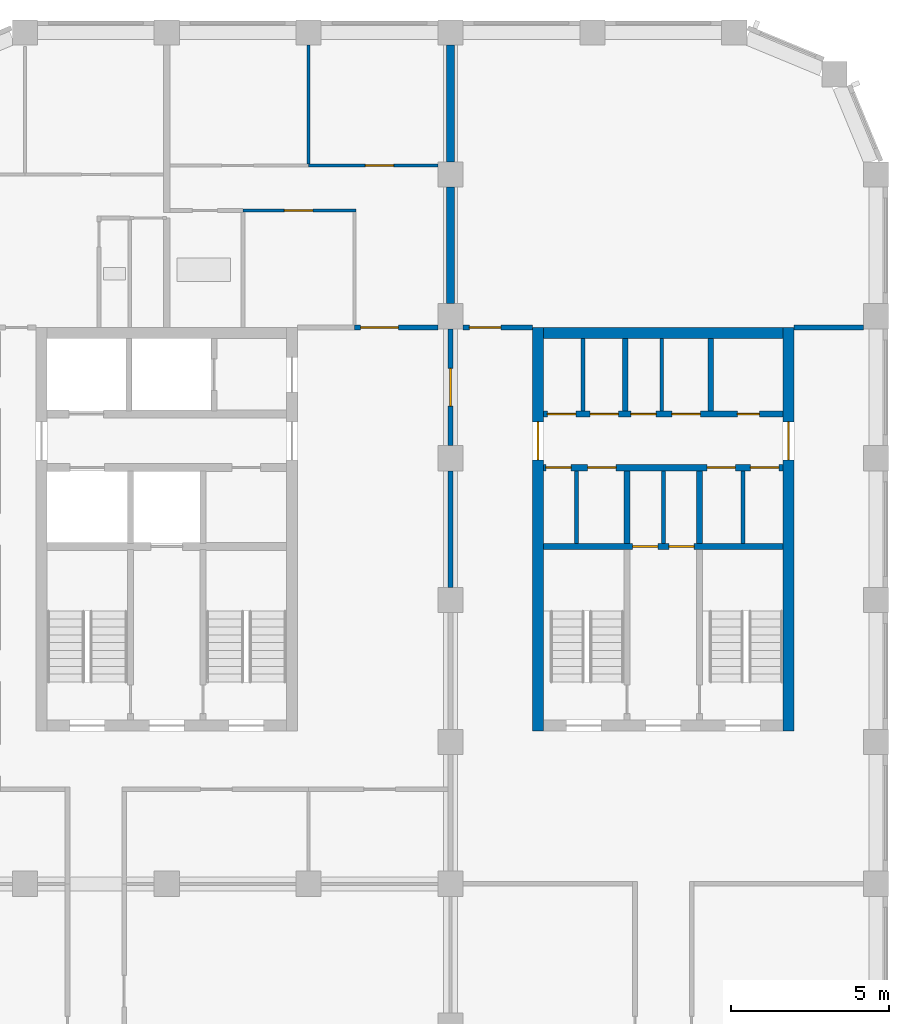
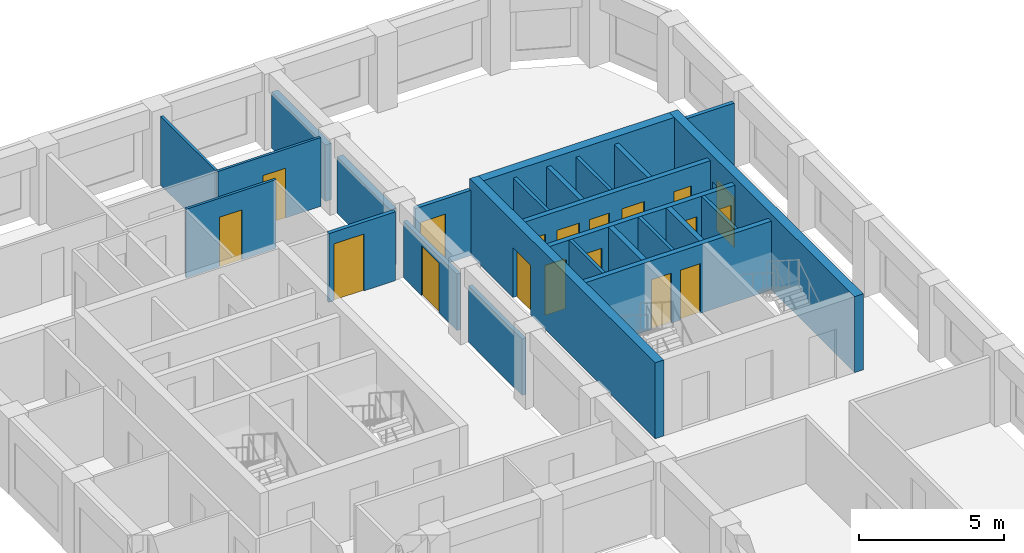
# One storey, part 6 of 9: 25 walls, 18 doors, 18 openings.
"""IFC4 building model written with IfcOpenShell, lengths in metres."""

from ifc_helpers import new_model, si_unit, direction, frame, frame_2d, origin, place, context, subcontext, project, spatial, rectangle, extrude, material, layer, layer_set, type_object, element, fill, save


model = new_model("IFC4")

# Units and contexts
model_context = context("Model", 3, precision=1e-05, world=origin(), true_north=direction((0.0, 1.0)))
body_context = subcontext(model_context, "Body", "Model", "MODEL_VIEW")
ifc_project = project(units=[si_unit("LENGTHUNIT", "METRE"), si_unit("AREAUNIT", "SQUARE_METRE"), si_unit("VOLUMEUNIT", "CUBIC_METRE"), si_unit("PLANEANGLEUNIT", "RADIAN"), si_unit("MASSUNIT", "GRAM", prefix="KILO")], contexts=[model_context])

# Site, building, storey
site_placement = place(None, origin())
site = spatial("IfcSite", under=ifc_project, at=site_placement, CompositionType="ELEMENT")
building_placement = place(site_placement, origin())
building = spatial("IfcBuilding", under=site, at=building_placement, Name="Girih Gate Residences", CompositionType="ELEMENT")
storey_placement = place(building_placement, frame((0.0, 0.0, 222.89501953125)))
storey = spatial("IfcBuildingStorey", under=building, at=storey_placement, Name="L62", CompositionType="ELEMENT", Elevation=222.89501953125)

# Walls
ifc_material_1 = material(Name="Gypsum board on steel studs", Category="steel")
ifc_layer_1 = layer(ifc_material_1, 0.25)
ifc_layer_set_1 = layer_set([ifc_layer_1], Name="Acoustic separating wall 250 mm")
wall_type_1 = type_object("IfcWallType", Name="Acoustic separating wall 250 mm", PredefinedType="PARTITIONING", material=ifc_layer_set_1)
for number, where, z_axis, x_axis, name in (
    (1, (18.0, 45.39990234375, 0.0), (0.0, 0.0, 1.0), (0.0, 1.0, 0.0), "L62 partition"),
    (2, (18.0, 40.89990234375, 0.0), (0.0, 0.0, 1.0), (0.0, 1.0, 0.0), "L62 partition"),
):
    element("IfcWall", number, at=place(storey_placement, frame(where, z_axis=z_axis, x_axis=x_axis)), inside=storey, type_object=wall_type_1, Name=name, PredefinedType="PARTITIONING", context=body_context, shape_type="SweptSolid", body=[
        extrude(rectangle(XDim=3.7001953125, YDim=0.25, at=frame_2d((1.85009765625, 0.0))), origin(), (0.0, 0.0, 1.0), 2.3798828125),
    ])

# Wall, opening, door
ifc_layer_2 = layer(ifc_material_1, 0.14990234375)
ifc_layer_set_2 = layer_set([ifc_layer_2], Name="Compartment wall 150 mm")
wall_type_2 = type_object("IfcWallType", Name="Compartment wall 150 mm", PredefinedType="PARTITIONING", material=ifc_layer_set_2)
wall_1_placement = place(storey_placement, frame((14.949951171875, 40.14990234375, 0.0), z_axis=(0.0, 0.0, 1.0), x_axis=(1.0, 0.0, 0.0)))
wall_1 = element("IfcWall", 3, at=wall_1_placement, inside=storey, type_object=wall_type_2, Name="L62 partition", PredefinedType="PARTITIONING", context=body_context, shape_type="SweptSolid", body=[
    extrude(rectangle(XDim=2.650146484375, YDim=0.14990234375, at=frame_2d((1.3251953125, 0.0))), origin(), (0.0, 0.0, 1.0), 2.89990234375),
])
opening_1_placement = place(wall_1_placement, frame((0.199951171875, 0.0, 0.0)))
opening_1 = element("IfcOpeningElement", 4, at=opening_1_placement, cuts=wall_1, Name="Opening A62-016", PredefinedType="OPENING", context=body_context, shape_type="SweptSolid", body=[
    extrude(rectangle(XDim=1.199951171875, YDim=2.39990234375, at=frame_2d((0.60009765625, 1.199951171875))), frame((0.0, 0.0849609375, 0.0), z_axis=(0.0, -1.0, 0.0), x_axis=(1.0, 0.0, 0.0)), (0.0, 0.0, 1.0), 0.169921875),
])
ifc_material_2 = material(Name="Timber, fire-rated core", Category="wood")
door_type_1 = type_object("IfcDoorType", Name="Villa entrance door 1200x2400 FD30S", OperationType="NOTDEFINED", PredefinedType="DOOR", material=ifc_material_2)
door_1_placement = place(opening_1_placement, origin())
door_1 = element("IfcDoor", 5, at=door_1_placement, inside=storey, type_object=door_type_1, Name="Door A62-016", OperationType="SINGLE_SWING_LEFT", OverallHeight=2.39990234375, OverallWidth=1.199951171875, PredefinedType="DOOR", context=body_context, shape_type="SweptSolid", body=[
    extrude(rectangle(XDim=1.199951171875, YDim=2.39990234375, at=frame_2d((0.60009765625, 1.199951171875))), frame((0.0, 0.02490234375, 0.0), z_axis=(0.0, -1.0, 0.0), x_axis=(1.0, 0.0, 0.0)), (0.0, 0.0, 1.0), 0.050048828125),
])
fill(opening_1, door_1)

wall_2_placement = place(storey_placement, frame((18.39990234375, 40.14990234375, 0.0), z_axis=(0.0, 0.0, 1.0), x_axis=(1.0, 0.0, 0.0)))
wall_2 = element("IfcWall", 6, at=wall_2_placement, inside=storey, type_object=wall_type_2, Name="L62 partition", PredefinedType="PARTITIONING", context=body_context, shape_type="SweptSolid", body=[
    extrude(rectangle(XDim=2.2001953125, YDim=0.14990234375, at=frame_2d((1.10009765625, 0.0))), origin(), (0.0, 0.0, 1.0), 2.75),
])
opening_2_placement = place(wall_2_placement, frame((0.199951171875, 0.0, 0.0)))
opening_2 = element("IfcOpeningElement", 7, at=opening_2_placement, cuts=wall_2, Name="Opening A62-018", PredefinedType="OPENING", context=body_context, shape_type="SweptSolid", body=[
    extrude(rectangle(XDim=1.0, YDim=2.10009765625, at=frame_2d((0.5, 1.050048828125))), frame((0.0, 0.0849609375, 0.0), z_axis=(0.0, -1.0, 0.0), x_axis=(1.0, 0.0, 0.0)), (0.0, 0.0, 1.0), 0.169921875),
])
door_type_2 = type_object("IfcDoorType", Name="Amenity room door 1000x2100 FD30S", OperationType="NOTDEFINED", PredefinedType="DOOR", material=ifc_material_2)
door_2_placement = place(opening_2_placement, origin())
door_2 = element("IfcDoor", 8, at=door_2_placement, inside=storey, type_object=door_type_2, Name="Door A62-018", OperationType="SINGLE_SWING_LEFT", OverallHeight=2.10009765625, OverallWidth=1.0, PredefinedType="DOOR", context=body_context, shape_type="SweptSolid", body=[
    extrude(rectangle(XDim=1.0, YDim=2.10009765625, at=frame_2d((0.5, 1.050048828125))), frame((0.0, 0.02490234375, 0.0), z_axis=(0.0, -1.0, 0.0), x_axis=(1.0, 0.0, 0.0)), (0.0, 0.0, 1.0), 0.050048828125),
])
fill(opening_2, door_2)

# Walls
wall_3_placement = place(storey_placement, frame((28.89990234375, 40.14990234375, 0.0), z_axis=(0.0, 0.0, 1.0), x_axis=(1.0, 0.0, 0.0)))
element("IfcWall", 9, at=wall_3_placement, inside=storey, type_object=wall_type_2, Name="L62 partition", PredefinedType="PARTITIONING", context=body_context, shape_type="SweptSolid", body=[
    extrude(rectangle(XDim=2.2001953125, YDim=0.14990234375, at=frame_2d((1.10009765625, 0.0))), origin(), (0.0, 0.0, 1.0), 2.75),
])
wall_4_placement = place(storey_placement, frame((18.0, 31.89990234375, 0.0), z_axis=(0.0, 0.0, 1.0), x_axis=(0.0, 1.0, 0.0)))
element("IfcWall", 10, at=wall_4_placement, inside=storey, type_object=wall_type_2, Name="L62 partition", PredefinedType="PARTITIONING", context=body_context, shape_type="SweptSolid", body=[
    extrude(rectangle(XDim=3.7001953125, YDim=0.14990234375, at=frame_2d((1.85009765625, 0.0))), origin(), (0.0, 0.0, 1.0), 2.3798828125),
])

# Wall, opening, door
wall_5_placement = place(storey_placement, frame((18.0, 40.10009765625, 0.0), z_axis=(0.0, 0.0, 1.0), x_axis=(0.0, -1.0, 0.0)))
wall_5 = element("IfcWall", 11, at=wall_5_placement, inside=storey, type_object=wall_type_2, Name="L62 partition", PredefinedType="PARTITIONING", context=body_context, shape_type="SweptSolid", body=[
    extrude(rectangle(XDim=3.7001953125, YDim=0.14990234375, at=frame_2d((1.85009765625, 0.0))), origin(), (0.0, 0.0, 1.0), 2.3798828125),
])
opening_3_placement = place(wall_5_placement, frame((1.25, 0.0, 0.0)))
opening_3 = element("IfcOpeningElement", 12, at=opening_3_placement, cuts=wall_5, Name="Opening A62-019", PredefinedType="OPENING", context=body_context, shape_type="SweptSolid", body=[
    extrude(rectangle(XDim=1.199951171875, YDim=2.10009765625, at=frame_2d((0.60009765625, 1.050048828125))), frame((0.0, 0.0849609375, 0.0), z_axis=(0.0, -1.0, 0.0), x_axis=(1.0, 0.0, 0.0)), (0.0, 0.0, 1.0), 0.169921875),
])
door_type_3 = type_object("IfcDoorType", Name="Corridor fire door 1200x2100 FD30S", OperationType="NOTDEFINED", PredefinedType="DOOR", material=ifc_material_2)
door_3_placement = place(opening_3_placement, origin())
door_3 = element("IfcDoor", 13, at=door_3_placement, inside=storey, type_object=door_type_3, Name="Door A62-019", OperationType="SINGLE_SWING_LEFT", OverallHeight=2.10009765625, OverallWidth=1.199951171875, PredefinedType="DOOR", context=body_context, shape_type="SweptSolid", body=[
    extrude(rectangle(XDim=1.199951171875, YDim=2.10009765625, at=frame_2d((0.60009765625, 1.050048828125))), frame((0.0, 0.02490234375, 0.0), z_axis=(0.0, -1.0, 0.0), x_axis=(1.0, 0.0, 0.0)), (0.0, 0.0, 1.0), 0.050048828125),
])
fill(opening_3, door_3)

ifc_layer_3 = layer(ifc_material_1, 0.10009765625)
ifc_layer_set_3 = layer_set([ifc_layer_3], Name="Partition 100 mm")
wall_type_3 = type_object("IfcWallType", Name="Partition 100 mm", PredefinedType="PARTITIONING", material=ifc_layer_set_3)
wall_6_placement = place(storey_placement, frame((13.5, 45.280029296875, 0.0), z_axis=(0.0, 0.0, 1.0), x_axis=(1.0, 0.0, 0.0)))
wall_6 = element("IfcWall", 14, at=wall_6_placement, inside=storey, type_object=wall_type_3, Name="L62 partition", PredefinedType="PARTITIONING", context=body_context, shape_type="SweptSolid", body=[
    extrude(rectangle(XDim=4.10009765625, YDim=0.10009765625, at=frame_2d((2.050048828125, 0.0))), origin(), (0.0, 0.0, 1.0), 2.89990234375),
])
opening_4_placement = place(wall_6_placement, frame((1.800048828125, 0.0, 0.0)))
opening_4 = element("IfcOpeningElement", 15, at=opening_4_placement, cuts=wall_6, Name="Opening A62-013", PredefinedType="OPENING", context=body_context, shape_type="SweptSolid", body=[
    extrude(rectangle(XDim=0.89990234375, YDim=2.10009765625, at=frame_2d((0.449951171875, 1.050048828125))), frame((0.0, 0.06005859375, 0.0), z_axis=(0.0, -1.0, 0.0), x_axis=(1.0, 0.0, 0.0)), (0.0, 0.0, 1.0), 0.1201171875),
])
ifc_material_3 = material(Name="Timber", Category="wood")
door_type_4 = type_object("IfcDoorType", Name="Bedroom door 900x2100", OperationType="NOTDEFINED", PredefinedType="DOOR", material=ifc_material_3)
door_4_placement = place(opening_4_placement, origin())
door_4 = element("IfcDoor", 16, at=door_4_placement, inside=storey, type_object=door_type_4, Name="Door A62-013", OperationType="SINGLE_SWING_RIGHT", OverallHeight=2.10009765625, OverallWidth=0.89990234375, PredefinedType="DOOR", context=body_context, shape_type="SweptSolid", body=[
    extrude(rectangle(XDim=0.89990234375, YDim=2.10009765625, at=frame_2d((0.449951171875, 1.050048828125))), frame((0.0, 0.02490234375, 0.0), z_axis=(0.0, -1.0, 0.0), x_axis=(1.0, 0.0, 0.0)), (0.0, 0.0, 1.0), 0.050048828125),
])
fill(opening_4, door_4)

# Wall
wall_7_placement = place(storey_placement, frame((13.5, 45.330078125, 0.0), z_axis=(0.0, 0.0, 1.0), x_axis=(0.0, 1.0, 0.0)))
element("IfcWall", 17, at=wall_7_placement, inside=storey, type_object=wall_type_3, Name="L62 partition", PredefinedType="PARTITIONING", context=body_context, shape_type="SweptSolid", body=[
    extrude(rectangle(XDim=3.77001953125, YDim=0.10009765625, at=frame_2d((1.885009765625, 0.0))), origin(), (0.0, 0.0, 1.0), 2.89990234375),
])

# Wall, opening, door
wall_8_placement = place(storey_placement, frame((15.0, 43.860107421875, 0.0), z_axis=(0.0, 0.0, 1.0), x_axis=(-1.0, 0.0, 0.0)))
wall_8 = element("IfcWall", 18, at=wall_8_placement, inside=storey, type_object=wall_type_3, Name="L62 partition", PredefinedType="PARTITIONING", context=body_context, shape_type="SweptSolid", body=[
    extrude(rectangle(XDim=3.581787109375, YDim=0.10009765625, at=frame_2d((1.791015625, 0.0))), origin(), (0.0, 0.0, 1.0), 2.89990234375),
])
opening_5_placement = place(wall_8_placement, frame((1.365966796875, 0.0, 0.0)))
opening_5 = element("IfcOpeningElement", 19, at=opening_5_placement, cuts=wall_8, Name="Opening A62-014", PredefinedType="OPENING", context=body_context, shape_type="SweptSolid", body=[
    extrude(rectangle(XDim=0.89990234375, YDim=2.10009765625, at=frame_2d((0.449951171875, 1.050048828125))), frame((0.0, 0.06005859375, 0.0), z_axis=(0.0, -1.0, 0.0), x_axis=(1.0, 0.0, 0.0)), (0.0, 0.0, 1.0), 0.1201171875),
])
door_type_5 = type_object("IfcDoorType", Name="Kitchen door 900x2100", OperationType="NOTDEFINED", PredefinedType="DOOR", material=ifc_material_3)
door_5_placement = place(opening_5_placement, origin())
door_5 = element("IfcDoor", 20, at=door_5_placement, inside=storey, type_object=door_type_5, Name="Door A62-014", OperationType="SINGLE_SWING_RIGHT", OverallHeight=2.10009765625, OverallWidth=0.89990234375, PredefinedType="DOOR", context=body_context, shape_type="SweptSolid", body=[
    extrude(rectangle(XDim=0.89990234375, YDim=2.10009765625, at=frame_2d((0.449951171875, 1.050048828125))), frame((0.0, 0.02490234375, 0.0), z_axis=(0.0, -1.0, 0.0), x_axis=(1.0, 0.0, 0.0)), (0.0, 0.0, 1.0), 0.050048828125),
])
fill(opening_5, door_5)

# Walls
ifc_material_4 = material(Name="Concrete C40/50", Category="concrete")
ifc_layer_4 = layer(ifc_material_4, 0.175048828125)
ifc_layer_set_4 = layer_set([ifc_layer_4], Name="Riser shaft wall 175")
wall_type_4 = type_object("IfcWallType", Name="Riser shaft wall 175", PredefinedType="SOLIDWALL", material=ifc_layer_set_4)
for number, where, z_axis, x_axis, name in (
    (21, (23.550048828125, 37.5, 0.0), (0.0, 0.0, 1.0), (0.0, 1.0, 0.0), "L62 C core wall V1c"),
    (22, (26.25, 37.5, 0.0), (0.0, 0.0, 1.0), (0.0, 1.0, 0.0), "L62 C core wall V2c"),
):
    element("IfcWall", number, at=place(storey_placement, frame(where, z_axis=z_axis, x_axis=x_axis)), inside=storey, type_object=wall_type_4, Name=name, PredefinedType="SOLIDWALL", context=body_context, shape_type="SweptSolid", body=[
        extrude(rectangle(XDim=2.300048828125, YDim=0.175048828125, at=frame_2d((1.14990234375, 0.0))), origin(), (0.0, 0.0, 1.0), 2.89990234375),
    ])

# Wall, openings, doors
ifc_layer_5 = layer(ifc_material_4, 0.199951171875)
ifc_layer_set_5 = layer_set([ifc_layer_5], Name="Shaft wall 200")
wall_type_5 = type_object("IfcWallType", Name="Shaft wall 200", PredefinedType="SOLIDWALL", material=ifc_layer_set_5)
wall_9_placement = place(storey_placement, frame((20.949951171875, 33.199951171875, 0.0), z_axis=(0.0, 0.0, 1.0), x_axis=(1.0, 0.0, 0.0)))
wall_9 = element("IfcWall", 23, at=wall_9_placement, inside=storey, type_object=wall_type_5, Name="L62 C core wall H1", PredefinedType="SOLIDWALL", context=body_context, shape_type="SweptSolid", body=[
    extrude(rectangle(XDim=7.60009765625, YDim=0.199951171875, at=frame_2d((3.800048828125, 0.0))), origin(), (0.0, 0.0, 1.0), 2.89990234375),
])
opening_6_placement = place(wall_9_placement, frame((2.824951171875, 0.0, 0.0)))
opening_6 = element("IfcOpeningElement", 24, at=opening_6_placement, cuts=wall_9, Name="Opening D-L62-C-012", PredefinedType="OPENING", context=body_context, shape_type="SweptSolid", body=[
    extrude(rectangle(XDim=0.800048828125, YDim=2.10009765625, at=frame_2d((0.39990234375, 1.050048828125))), frame((0.0, 0.10986328125, 0.0), z_axis=(0.0, -1.0, 0.0), x_axis=(1.0, 0.0, 0.0)), (0.0, 0.0, 1.0), 0.219970703125),
])
opening_7_placement = place(wall_9_placement, frame((3.97509765625, 0.0, 0.0)))
opening_7 = element("IfcOpeningElement", 25, at=opening_7_placement, cuts=wall_9, Name="Opening D-L62-C-013", PredefinedType="OPENING", context=body_context, shape_type="SweptSolid", body=[
    extrude(rectangle(XDim=0.800048828125, YDim=2.10009765625, at=frame_2d((0.39990234375, 1.050048828125))), frame((0.0, 0.10986328125, 0.0), z_axis=(0.0, -1.0, 0.0), x_axis=(1.0, 0.0, 0.0)), (0.0, 0.0, 1.0), 0.219970703125),
])
ifc_material_5 = material(Name="Painted steel, fire-resisting", Category="steel")
door_type_6 = type_object("IfcDoorType", Name="Fire door 800x2100", OperationType="SINGLE_SWING_LEFT", PredefinedType="DOOR", material=ifc_material_5)
door_6_placement = place(opening_6_placement, origin())
door_6 = element("IfcDoor", 26, at=door_6_placement, inside=storey, type_object=door_type_6, Name="L62 C cleaners store door", OperationType="SINGLE_SWING_LEFT", OverallHeight=2.10009765625, OverallWidth=0.800048828125, PredefinedType="DOOR", context=body_context, shape_type="SweptSolid", body=[
    extrude(rectangle(XDim=0.800048828125, YDim=2.10009765625, at=frame_2d((0.39990234375, 1.050048828125))), frame((0.0, 0.02490234375, 0.0), z_axis=(0.0, -1.0, 0.0), x_axis=(1.0, 0.0, 0.0)), (0.0, 0.0, 1.0), 0.050048828125),
])
fill(opening_6, door_6)
door_7_placement = place(opening_7_placement, origin())
door_7 = element("IfcDoor", 27, at=door_7_placement, inside=storey, type_object=door_type_6, Name="L62 C riser room door", OperationType="SINGLE_SWING_LEFT", OverallHeight=2.10009765625, OverallWidth=0.800048828125, PredefinedType="DOOR", context=body_context, shape_type="SweptSolid", body=[
    extrude(rectangle(XDim=0.800048828125, YDim=2.10009765625, at=frame_2d((0.39990234375, 1.050048828125))), frame((0.0, 0.02490234375, 0.0), z_axis=(0.0, -1.0, 0.0), x_axis=(1.0, 0.0, 0.0)), (0.0, 0.0, 1.0), 0.050048828125),
])
fill(opening_7, door_7)

wall_10_placement = place(storey_placement, frame((20.949951171875, 35.699951171875, 0.0), z_axis=(0.0, 0.0, 1.0), x_axis=(1.0, 0.0, 0.0)))
wall_10 = element("IfcWall", 28, at=wall_10_placement, inside=storey, type_object=wall_type_5, Name="L62 C core wall H2", PredefinedType="SOLIDWALL", context=body_context, shape_type="SweptSolid", body=[
    extrude(rectangle(XDim=7.60009765625, YDim=0.199951171875, at=frame_2d((3.800048828125, 0.0))), origin(), (0.0, 0.0, 1.0), 2.89990234375),
])
opening_8_placement = place(wall_10_placement, frame((0.074951171875, 0.0, 0.0)))
opening_8 = element("IfcOpeningElement", 29, at=opening_8_placement, cuts=wall_10, Name="Opening D-L62-C-004", PredefinedType="OPENING", context=body_context, shape_type="SweptSolid", body=[
    extrude(rectangle(XDim=0.800048828125, YDim=2.10009765625, at=frame_2d((0.39990234375, 1.050048828125))), frame((0.0, 0.10986328125, 0.0), z_axis=(0.0, -1.0, 0.0), x_axis=(1.0, 0.0, 0.0)), (0.0, 0.0, 1.0), 0.219970703125),
])
opening_9_placement = place(wall_10_placement, frame((1.39990234375, 0.0, 0.0)))
opening_9 = element("IfcOpeningElement", 30, at=opening_9_placement, cuts=wall_10, Name="Opening D-L62-C-005", PredefinedType="OPENING", context=body_context, shape_type="SweptSolid", body=[
    extrude(rectangle(XDim=0.89990234375, YDim=2.10009765625, at=frame_2d((0.449951171875, 1.050048828125))), frame((0.0, 0.10986328125, 0.0), z_axis=(0.0, -1.0, 0.0), x_axis=(1.0, 0.0, 0.0)), (0.0, 0.0, 1.0), 0.219970703125),
])
opening_10_placement = place(wall_10_placement, frame((5.1875, 0.0, 0.0)))
opening_10 = element("IfcOpeningElement", 31, at=opening_10_placement, cuts=wall_10, Name="Opening D-L62-C-006", PredefinedType="OPENING", context=body_context, shape_type="SweptSolid", body=[
    extrude(rectangle(XDim=0.89990234375, YDim=2.10009765625, at=frame_2d((0.449951171875, 1.050048828125))), frame((0.0, 0.10986328125, 0.0), z_axis=(0.0, -1.0, 0.0), x_axis=(1.0, 0.0, 0.0)), (0.0, 0.0, 1.0), 0.219970703125),
])
opening_11_placement = place(wall_10_placement, frame((6.5625, 0.0, 0.0)))
opening_11 = element("IfcOpeningElement", 32, at=opening_11_placement, cuts=wall_10, Name="Opening D-L62-C-007", PredefinedType="OPENING", context=body_context, shape_type="SweptSolid", body=[
    extrude(rectangle(XDim=0.89990234375, YDim=2.10009765625, at=frame_2d((0.449951171875, 1.050048828125))), frame((0.0, 0.10986328125, 0.0), z_axis=(0.0, -1.0, 0.0), x_axis=(1.0, 0.0, 0.0)), (0.0, 0.0, 1.0), 0.219970703125),
])
door_8_placement = place(opening_8_placement, origin())
door_8 = element("IfcDoor", 33, at=door_8_placement, inside=storey, type_object=door_type_6, Name="L62 C it room door", OperationType="SINGLE_SWING_LEFT", OverallHeight=2.10009765625, OverallWidth=0.800048828125, PredefinedType="DOOR", context=body_context, shape_type="SweptSolid", body=[
    extrude(rectangle(XDim=0.800048828125, YDim=2.10009765625, at=frame_2d((0.39990234375, 1.050048828125))), frame((0.0, 0.02490234375, 0.0), z_axis=(0.0, -1.0, 0.0), x_axis=(1.0, 0.0, 0.0)), (0.0, 0.0, 1.0), 0.050048828125),
])
fill(opening_8, door_8)
door_type_7 = type_object("IfcDoorType", Name="Fire door 900x2100", OperationType="SINGLE_SWING_LEFT", PredefinedType="DOOR", material=ifc_material_5)
door_9_placement = place(opening_9_placement, origin())
door_9 = element("IfcDoor", 34, at=door_9_placement, inside=storey, type_object=door_type_7, Name="L62 C maintenance store door", OperationType="SINGLE_SWING_LEFT", OverallHeight=2.10009765625, OverallWidth=0.89990234375, PredefinedType="DOOR", context=body_context, shape_type="SweptSolid", body=[
    extrude(rectangle(XDim=0.89990234375, YDim=2.10009765625, at=frame_2d((0.449951171875, 1.050048828125))), frame((0.0, 0.02490234375, 0.0), z_axis=(0.0, -1.0, 0.0), x_axis=(1.0, 0.0, 0.0)), (0.0, 0.0, 1.0), 0.050048828125),
])
fill(opening_9, door_9)
door_10_placement = place(opening_10_placement, origin())
door_10 = element("IfcDoor", 35, at=door_10_placement, inside=storey, type_object=door_type_7, Name="L62 C riser room door", OperationType="SINGLE_SWING_LEFT", OverallHeight=2.10009765625, OverallWidth=0.89990234375, PredefinedType="DOOR", context=body_context, shape_type="SweptSolid", body=[
    extrude(rectangle(XDim=0.89990234375, YDim=2.10009765625, at=frame_2d((0.449951171875, 1.050048828125))), frame((0.0, 0.02490234375, 0.0), z_axis=(0.0, -1.0, 0.0), x_axis=(1.0, 0.0, 0.0)), (0.0, 0.0, 1.0), 0.050048828125),
])
fill(opening_10, door_10)
door_11_placement = place(opening_11_placement, origin())
door_11 = element("IfcDoor", 36, at=door_11_placement, inside=storey, type_object=door_type_7, Name="L62 C linen store door", OperationType="SINGLE_SWING_LEFT", OverallHeight=2.10009765625, OverallWidth=0.89990234375, PredefinedType="DOOR", context=body_context, shape_type="SweptSolid", body=[
    extrude(rectangle(XDim=0.89990234375, YDim=2.10009765625, at=frame_2d((0.449951171875, 1.050048828125))), frame((0.0, 0.02490234375, 0.0), z_axis=(0.0, -1.0, 0.0), x_axis=(1.0, 0.0, 0.0)), (0.0, 0.0, 1.0), 0.050048828125),
])
fill(opening_11, door_11)

wall_11_placement = place(storey_placement, frame((20.949951171875, 37.39990234375, 0.0), z_axis=(0.0, 0.0, 1.0), x_axis=(1.0, 0.0, 0.0)))
wall_11 = element("IfcWall", 37, at=wall_11_placement, inside=storey, type_object=wall_type_5, Name="L62 C core wall H3", PredefinedType="SOLIDWALL", context=body_context, shape_type="SweptSolid", body=[
    extrude(rectangle(XDim=7.60009765625, YDim=0.199951171875, at=frame_2d((3.800048828125, 0.0))), origin(), (0.0, 0.0, 1.0), 2.89990234375),
])
opening_12_placement = place(wall_11_placement, frame((6.14990234375, 0.0, 0.0)))
opening_12 = element("IfcOpeningElement", 38, at=opening_12_placement, cuts=wall_11, Name="Opening D-L62-C-003", PredefinedType="OPENING", context=body_context, shape_type="SweptSolid", body=[
    extrude(rectangle(XDim=0.699951171875, YDim=2.10009765625, at=frame_2d((0.35009765625, 1.050048828125))), frame((0.0, 0.10986328125, 0.0), z_axis=(0.0, -1.0, 0.0), x_axis=(1.0, 0.0, 0.0)), (0.0, 0.0, 1.0), 0.219970703125),
])
opening_13_placement = place(wall_11_placement, frame((0.125, 0.0, 0.0)))
opening_13 = element("IfcOpeningElement", 39, at=opening_13_placement, cuts=wall_11, Name="Opening D-L62-C-008", PredefinedType="OPENING", context=body_context, shape_type="SweptSolid", body=[
    extrude(rectangle(XDim=0.89990234375, YDim=2.10009765625, at=frame_2d((0.449951171875, 1.050048828125))), frame((0.0, 0.10986328125, 0.0), z_axis=(0.0, -1.0, 0.0), x_axis=(1.0, 0.0, 0.0)), (0.0, 0.0, 1.0), 0.219970703125),
])
opening_14_placement = place(wall_11_placement, frame((1.47509765625, 0.0, 0.0)))
opening_14 = element("IfcOpeningElement", 40, at=opening_14_placement, cuts=wall_11, Name="Opening D-L62-C-009", PredefinedType="OPENING", context=body_context, shape_type="SweptSolid", body=[
    extrude(rectangle(XDim=0.89990234375, YDim=2.10009765625, at=frame_2d((0.449951171875, 1.050048828125))), frame((0.0, 0.10986328125, 0.0), z_axis=(0.0, -1.0, 0.0), x_axis=(1.0, 0.0, 0.0)), (0.0, 0.0, 1.0), 0.219970703125),
])
opening_15_placement = place(wall_11_placement, frame((2.77490234375, 0.0, 0.0)))
opening_15 = element("IfcOpeningElement", 41, at=opening_15_placement, cuts=wall_11, Name="Opening D-L62-C-010", PredefinedType="OPENING", context=body_context, shape_type="SweptSolid", body=[
    extrude(rectangle(XDim=0.800048828125, YDim=2.10009765625, at=frame_2d((0.39990234375, 1.050048828125))), frame((0.0, 0.10986328125, 0.0), z_axis=(0.0, -1.0, 0.0), x_axis=(1.0, 0.0, 0.0)), (0.0, 0.0, 1.0), 0.219970703125),
])
opening_16_placement = place(wall_11_placement, frame((4.074951171875, 0.0, 0.0)))
opening_16 = element("IfcOpeningElement", 42, at=opening_16_placement, cuts=wall_11, Name="Opening D-L62-C-011", PredefinedType="OPENING", context=body_context, shape_type="SweptSolid", body=[
    extrude(rectangle(XDim=0.89990234375, YDim=2.10009765625, at=frame_2d((0.449951171875, 1.050048828125))), frame((0.0, 0.10986328125, 0.0), z_axis=(0.0, -1.0, 0.0), x_axis=(1.0, 0.0, 0.0)), (0.0, 0.0, 1.0), 0.219970703125),
])
door_12_placement = place(opening_15_placement, origin())
door_12 = element("IfcDoor", 43, at=door_12_placement, inside=storey, type_object=door_type_6, Name="L62 C comms room door", OperationType="SINGLE_SWING_LEFT", OverallHeight=2.10009765625, OverallWidth=0.800048828125, PredefinedType="DOOR", context=body_context, shape_type="SweptSolid", body=[
    extrude(rectangle(XDim=0.800048828125, YDim=2.10009765625, at=frame_2d((0.39990234375, 1.050048828125))), frame((0.0, 0.02490234375, 0.0), z_axis=(0.0, -1.0, 0.0), x_axis=(1.0, 0.0, 0.0)), (0.0, 0.0, 1.0), 0.050048828125),
])
fill(opening_15, door_12)
door_13_placement = place(opening_13_placement, origin())
door_13 = element("IfcDoor", 44, at=door_13_placement, inside=storey, type_object=door_type_7, Name="L62 C pantry door", OperationType="SINGLE_SWING_LEFT", OverallHeight=2.10009765625, OverallWidth=0.89990234375, PredefinedType="DOOR", context=body_context, shape_type="SweptSolid", body=[
    extrude(rectangle(XDim=0.89990234375, YDim=2.10009765625, at=frame_2d((0.449951171875, 1.050048828125))), frame((0.0, 0.02490234375, 0.0), z_axis=(0.0, -1.0, 0.0), x_axis=(1.0, 0.0, 0.0)), (0.0, 0.0, 1.0), 0.050048828125),
])
fill(opening_13, door_13)
door_14_placement = place(opening_14_placement, origin())
door_14 = element("IfcDoor", 45, at=door_14_placement, inside=storey, type_object=door_type_7, Name="L62 C housekeeping store door", OperationType="SINGLE_SWING_LEFT", OverallHeight=2.10009765625, OverallWidth=0.89990234375, PredefinedType="DOOR", context=body_context, shape_type="SweptSolid", body=[
    extrude(rectangle(XDim=0.89990234375, YDim=2.10009765625, at=frame_2d((0.449951171875, 1.050048828125))), frame((0.0, 0.02490234375, 0.0), z_axis=(0.0, -1.0, 0.0), x_axis=(1.0, 0.0, 0.0)), (0.0, 0.0, 1.0), 0.050048828125),
])
fill(opening_14, door_14)
door_15_placement = place(opening_16_placement, origin())
door_15 = element("IfcDoor", 46, at=door_15_placement, inside=storey, type_object=door_type_7, Name="L62 C it room door", OperationType="SINGLE_SWING_LEFT", OverallHeight=2.10009765625, OverallWidth=0.89990234375, PredefinedType="DOOR", context=body_context, shape_type="SweptSolid", body=[
    extrude(rectangle(XDim=0.89990234375, YDim=2.10009765625, at=frame_2d((0.449951171875, 1.050048828125))), frame((0.0, 0.02490234375, 0.0), z_axis=(0.0, -1.0, 0.0), x_axis=(1.0, 0.0, 0.0)), (0.0, 0.0, 1.0), 0.050048828125),
])
fill(opening_16, door_15)
door_type_8 = type_object("IfcDoorType", Name="Riser access door 700x2100", OperationType="SINGLE_SWING_LEFT", PredefinedType="DOOR", material=ifc_material_5)
door_16_placement = place(opening_12_placement, origin())
door_16 = element("IfcDoor", 47, at=door_16_placement, inside=storey, type_object=door_type_8, Name="L62 C riser room door", OperationType="SINGLE_SWING_LEFT", OverallHeight=2.10009765625, OverallWidth=0.699951171875, PredefinedType="DOOR", context=body_context, shape_type="SweptSolid", body=[
    extrude(rectangle(XDim=0.699951171875, YDim=2.10009765625, at=frame_2d((0.35009765625, 1.050048828125))), frame((0.0, 0.02490234375, 0.0), z_axis=(0.0, -1.0, 0.0), x_axis=(1.0, 0.0, 0.0)), (0.0, 0.0, 1.0), 0.050048828125),
])
fill(opening_12, door_16)

# Walls
for number, where, z_axis, x_axis, name in (
    (48, (23.60009765625, 33.300048828125, 0.0), (0.0, 0.0, 1.0), (0.0, 1.0, 0.0), "L62 C core wall V1b"),
    (49, (25.89990234375, 33.300048828125, 0.0), (0.0, 0.0, 1.0), (0.0, 1.0, 0.0), "L62 C core wall V2b"),
):
    element("IfcWall", number, at=place(storey_placement, frame(where, z_axis=z_axis, x_axis=x_axis)), inside=storey, type_object=wall_type_5, Name=name, PredefinedType="SOLIDWALL", context=body_context, shape_type="SweptSolid", body=[
        extrude(rectangle(XDim=2.300048828125, YDim=0.199951171875, at=frame_2d((1.14990234375, 0.0))), origin(), (0.0, 0.0, 1.0), 2.89990234375),
    ])
ifc_layer_6 = layer(ifc_material_4, 0.35009765625)
ifc_layer_set_6 = layer_set([ifc_layer_6], Name="Stair core wall RC 350 Concrete C40/50")
wall_type_6 = type_object("IfcWallType", Name="Stair core wall RC 350 Concrete C40/50", PredefinedType="SOLIDWALL", material=ifc_layer_set_6)
wall_12_placement = place(storey_placement, frame((20.949951171875, 39.97509765625, 0.0), z_axis=(0.0, 0.0, 1.0), x_axis=(1.0, 0.0, 0.0)))
element("IfcWall", 50, at=wall_12_placement, inside=storey, type_object=wall_type_6, Name="Stair core wall C-N L62", PredefinedType="SOLIDWALL", context=body_context, shape_type="SweptSolid", body=[
    extrude(rectangle(XDim=7.60009765625, YDim=0.35009765625, at=frame_2d((3.800048828125, 0.0))), origin(), (0.0, 0.0, 1.0), 3.199951171875),
])

# Wall, opening, door
wall_13_placement = place(storey_placement, frame((20.77490234375, 27.35009765625, 0.0), z_axis=(0.0, 0.0, 1.0), x_axis=(0.0, 1.0, 0.0)))
wall_13 = element("IfcWall", 51, at=wall_13_placement, inside=storey, type_object=wall_type_6, Name="Stair core wall C-W L62", PredefinedType="SOLIDWALL", context=body_context, shape_type="SweptSolid", body=[
    extrude(rectangle(XDim=12.7998046875, YDim=0.35009765625, at=frame_2d((6.39990234375, 0.0))), origin(), (0.0, 0.0, 1.0), 3.199951171875),
])
opening_17_placement = place(wall_13_placement, frame((8.60009765625, 0.0, 0.0)))
opening_17 = element("IfcOpeningElement", 52, at=opening_17_placement, cuts=wall_13, Name="Opening D-L62-C-017", PredefinedType="OPENING", context=body_context, shape_type="SweptSolid", body=[
    extrude(rectangle(XDim=1.199951171875, YDim=2.10009765625, at=frame_2d((0.60009765625, 1.050048828125))), frame((0.0, 0.18505859375, 0.0), z_axis=(0.0, -1.0, 0.0), x_axis=(1.0, 0.0, 0.0)), (0.0, 0.0, 1.0), 0.3701171875),
])
door_type_9 = type_object("IfcDoorType", Name="Fire door 1200x2100", OperationType="SINGLE_SWING_LEFT", PredefinedType="DOOR", material=ifc_material_5)
door_17_placement = place(opening_17_placement, origin())
door_17 = element("IfcDoor", 53, at=door_17_placement, inside=storey, type_object=door_type_9, Name="L62 C core door ll-w", OperationType="SINGLE_SWING_LEFT", OverallHeight=2.10009765625, OverallWidth=1.199951171875, PredefinedType="DOOR", context=body_context, shape_type="SweptSolid", body=[
    extrude(rectangle(XDim=1.199951171875, YDim=2.10009765625, at=frame_2d((0.60009765625, 1.050048828125))), frame((0.0, 0.02490234375, 0.0), z_axis=(0.0, -1.0, 0.0), x_axis=(1.0, 0.0, 0.0)), (0.0, 0.0, 1.0), 0.050048828125),
])
fill(opening_17, door_17)

wall_14_placement = place(storey_placement, frame((28.72509765625, 27.35009765625, 0.0), z_axis=(0.0, 0.0, 1.0), x_axis=(0.0, 1.0, 0.0)))
wall_14 = element("IfcWall", 54, at=wall_14_placement, inside=storey, type_object=wall_type_6, Name="Stair core wall C-E L62", PredefinedType="SOLIDWALL", context=body_context, shape_type="SweptSolid", body=[
    extrude(rectangle(XDim=12.7998046875, YDim=0.35009765625, at=frame_2d((6.39990234375, 0.0))), origin(), (0.0, 0.0, 1.0), 3.199951171875),
])
opening_18_placement = place(wall_14_placement, frame((8.60009765625, 0.0, 0.0)))
opening_18 = element("IfcOpeningElement", 55, at=opening_18_placement, cuts=wall_14, Name="Opening D-L62-C-018", PredefinedType="OPENING", context=body_context, shape_type="SweptSolid", body=[
    extrude(rectangle(XDim=1.199951171875, YDim=2.10009765625, at=frame_2d((0.60009765625, 1.050048828125))), frame((0.0, 0.18505859375, 0.0), z_axis=(0.0, -1.0, 0.0), x_axis=(1.0, 0.0, 0.0)), (0.0, 0.0, 1.0), 0.3701171875),
])
door_18_placement = place(opening_18_placement, origin())
door_18 = element("IfcDoor", 56, at=door_18_placement, inside=storey, type_object=door_type_9, Name="L62 C core door ll-e", OperationType="SINGLE_SWING_LEFT", OverallHeight=2.10009765625, OverallWidth=1.199951171875, PredefinedType="DOOR", context=body_context, shape_type="SweptSolid", body=[
    extrude(rectangle(XDim=1.199951171875, YDim=2.10009765625, at=frame_2d((0.60009765625, 1.050048828125))), frame((0.0, 0.02490234375, 0.0), z_axis=(0.0, -1.0, 0.0), x_axis=(1.0, 0.0, 0.0)), (0.0, 0.0, 1.0), 0.050048828125),
])
fill(opening_18, door_18)

# Walls
ifc_material_6 = material(Name="Calcium silicate blockwork", Category="masonry")
ifc_layer_7 = layer(ifc_material_6, 0.125)
ifc_layer_set_7 = layer_set([ifc_layer_7], Name="Store partition 125")
wall_type_7 = type_object("IfcWallType", Name="Store partition 125", PredefinedType="PARTITIONING", material=ifc_layer_set_7)
for number, where, z_axis, x_axis, name in (
    (57, (22.0, 33.300048828125, 0.0), (0.0, 0.0, 1.0), (0.0, 1.0, 0.0), "L62 C core wall SHR1"),
    (58, (27.27490234375, 33.300048828125, 0.0), (0.0, 0.0, 1.0), (0.0, 1.0, 0.0), "L62 C core wall SHR2"),
    (59, (22.199951171875, 37.5, 0.0), (0.0, 0.0, 1.0), (0.0, 1.0, 0.0), "L62 C core wall SLR1"),
    (60, (24.699951171875, 37.5, 0.0), (0.0, 0.0, 1.0), (0.0, 1.0, 0.0), "L62 C core wall SLR2"),
    (61, (24.75, 33.300048828125, 0.0), (0.0, 0.0, 1.0), (0.0, 1.0, 0.0), "L62 C core wall SFFS"),
):
    element("IfcWall", number, at=place(storey_placement, frame(where, z_axis=z_axis, x_axis=x_axis)), inside=storey, type_object=wall_type_7, Name=name, PredefinedType="PARTITIONING", context=body_context, shape_type="SweptSolid", body=[
        extrude(rectangle(XDim=2.300048828125, YDim=0.125, at=frame_2d((1.14990234375, 0.0))), origin(), (0.0, 0.0, 1.0), 2.89990234375),
    ])

save(model, "model.ifc")
